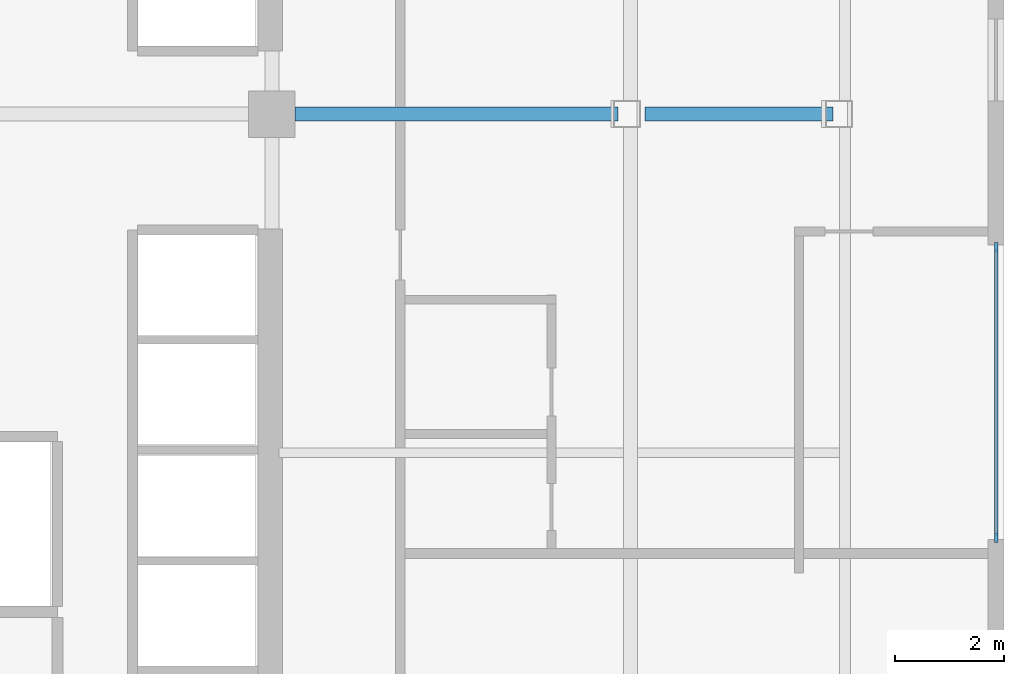
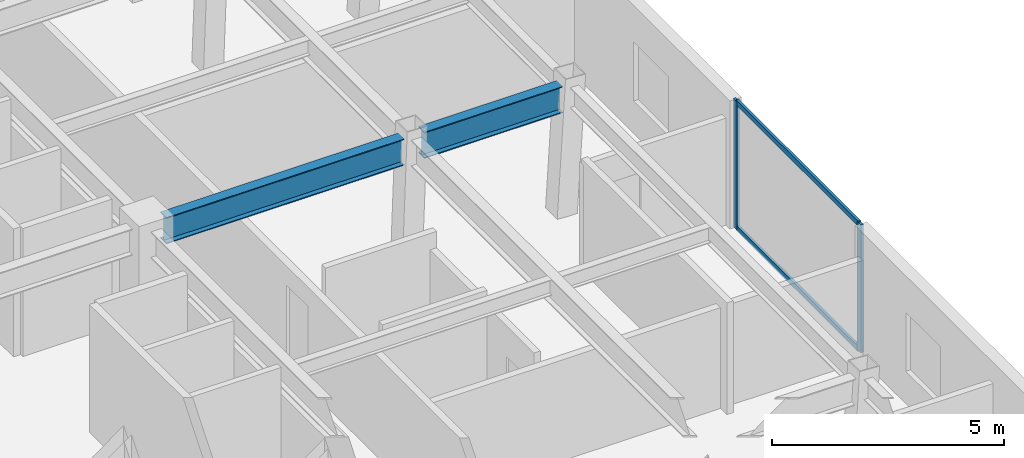
# One storey, part 5 of 13: 4 members, 2 beams, 1 element without a shape of its own.
"""IFC4 building model written with IfcOpenShell, lengths in metres."""

from ifc_helpers import new_model, si_unit, direction, frame, origin, origin_2d, place, context, subcontext, project, spatial, rectangle, i_section, extrude, material, layer, layer_set, material_profile, profile_set, type_object, element, aggregate, save


model = new_model("IFC4")

# Units and contexts
model_context = context("Model", 3, precision=1e-05, world=origin(), true_north=direction((0.0, 1.0)))
body_context = subcontext(model_context, "Body", "Model", "MODEL_VIEW")
ifc_project = project(units=[si_unit("LENGTHUNIT", "METRE"), si_unit("AREAUNIT", "SQUARE_METRE"), si_unit("VOLUMEUNIT", "CUBIC_METRE"), si_unit("PLANEANGLEUNIT", "RADIAN"), si_unit("MASSUNIT", "GRAM", prefix="KILO")], contexts=[model_context])

# Site, building, storey
site_placement = place(None, origin())
site = spatial("IfcSite", under=ifc_project, at=site_placement, CompositionType="ELEMENT")
building_placement = place(site_placement, origin())
building = spatial("IfcBuilding", under=site, at=building_placement, Name="Ochreholt Gables", CompositionType="ELEMENT")
storey_placement = place(building_placement, frame((0.0, 0.0, 49.199951171875)))
storey = spatial("IfcBuildingStorey", under=building, at=storey_placement, Name="L12", CompositionType="ELEMENT", Elevation=49.199951171875)

# Beams
ifc_material_1 = material(Name="Steel CSA G40.21 350W", Category="steel")
ifc_material_profile_1 = material_profile(ifc_material_1, i_section(OverallWidth=0.256103515625, OverallDepth=0.693115234375, WebThickness=0.014404296875, FlangeThickness=0.023681640625, at=origin_2d()), Name="W690X170")
ifc_profile_set_1 = profile_set([ifc_material_profile_1], Name="Steel CSA G40.21 350W")
beam_type = type_object("IfcBeamType", Name="BM-G-W690", PredefinedType="BEAM", material=ifc_profile_set_1)
beam_1_placement = place(storey_placement, frame((35.62451171875, 30.199951171875, 3.013427734375), z_axis=(1.0, 0.0, 0.0), x_axis=(0.0, 1.0, 0.0)))
element("IfcBeam", 1, at=beam_1_placement, inside=storey, type_object=beam_type, Name="L12 Beam TBG-L12-C2EM-Y4", PredefinedType="BEAM", context=body_context, shape_type="SweptSolid", body=[
    extrude(i_section(OverallWidth=0.256103515625, OverallDepth=0.693115234375, WebThickness=0.014404296875, FlangeThickness=0.023681640625, at=origin_2d()), origin(), (0.0, 0.0, 1.0), 5.909912109375),
])
beam_2_placement = place(storey_placement, frame((42.03369140625, 30.199951171875, 3.013427734375), z_axis=(1.0, 0.0, 0.0), x_axis=(0.0, 1.0, 0.0)))
element("IfcBeam", 2, at=beam_2_placement, inside=storey, type_object=beam_type, Name="L12 Beam TBG-L12-EMEE-Y4", PredefinedType="BEAM", context=body_context, shape_type="SweptSolid", body=[
    extrude(i_section(OverallWidth=0.256103515625, OverallDepth=0.693115234375, WebThickness=0.014404296875, FlangeThickness=0.023681640625, at=origin_2d()), origin(), (0.0, 0.0, 1.0), 3.435791015625),
])

# Curtain wall, members
ifc_material_2 = material(Name="Unitised Aluminium and Triple Glazing", Category="aluminium")
ifc_layer = layer(ifc_material_2, 0.179931640625, Name="Unitised Aluminium and Triple Glazing")
ifc_layer_set = layer_set([ifc_layer], Name="Unitised Aluminium and Triple Glazing")
curtain_wall_type = type_object("IfcCurtainWallType", Name="CW-SYS2", PredefinedType="NOTDEFINED", material=ifc_layer_set)
curtain_wall_placement = place(storey_placement, origin())
curtain_wall = element("IfcCurtainWall", 3, at=curtain_wall_placement, inside=storey, type_object=curtain_wall_type, Name="L12 East Unitised Curtain Wall", PredefinedType="NOTDEFINED")
ifc_material_3 = material(Name="Anodized Aluminium 6063-T6", Category="aluminium")
ifc_material_profile_2 = material_profile(ifc_material_3, rectangle(XDim=0.06494140625, YDim=0.1650390625, at=origin_2d()), Name="CWM65X165")
ifc_profile_set_2 = profile_set([ifc_material_profile_2], Name="Anodized Aluminium 6063-T6")
member_type_1 = type_object("IfcMemberType", Name="CW-MUL-B", PredefinedType="MULLION", material=ifc_profile_set_2)
member_1_placement = place(storey_placement, frame((48.455078125, 22.4423828125, 0.0), z_axis=(0.0, 0.0, 1.0), x_axis=(-1.0, 0.0, 0.0)))
member_1 = element("IfcMember", 4, at=member_1_placement, type_object=member_type_1, Name="CW-2 mullion 1", PredefinedType="MULLION", context=body_context, shape_type="SweptSolid", body=[
    extrude(rectangle(XDim=0.06494140625, YDim=0.1650390625, at=origin_2d()), origin(), (0.0, 0.0, 1.0), 3.360107421875),
])
member_2_placement = place(storey_placement, frame((48.455078125, 27.767578125, 0.0), z_axis=(0.0, 0.0, 1.0), x_axis=(-1.0, 0.0, 0.0)))
member_2 = element("IfcMember", 5, at=member_2_placement, type_object=member_type_1, Name="CW-2 mullion 2", PredefinedType="MULLION", context=body_context, shape_type="SweptSolid", body=[
    extrude(rectangle(XDim=0.06494140625, YDim=0.1650390625, at=origin_2d()), origin(), (0.0, 0.0, 1.0), 3.360107421875),
])
ifc_material_profile_3 = material_profile(ifc_material_3, rectangle(XDim=0.06494140625, YDim=0.135009765625, at=origin_2d()), Name="CWT65X135")
ifc_profile_set_3 = profile_set([ifc_material_profile_3], Name="Anodized Aluminium 6063-T6")
member_type_2 = type_object("IfcMemberType", Name="CW-TRN-B", PredefinedType="USERDEFINED", material=ifc_profile_set_3)
member_3_placement = place(storey_placement, frame((48.455078125, 22.47509765625, 0.032470703125), z_axis=(0.0, 1.0, 0.0), x_axis=(-1.0, 0.0, 0.0)))
member_3 = element("IfcMember", 6, at=member_3_placement, type_object=member_type_2, Name="CW-2 transom 1.1", ObjectType="TRANSOM", PredefinedType="USERDEFINED", context=body_context, shape_type="SweptSolid", body=[
    extrude(rectangle(XDim=0.06494140625, YDim=0.135009765625, at=origin_2d()), origin(), (0.0, 0.0, 1.0), 5.260009765625),
])
member_4_placement = place(storey_placement, frame((48.455078125, 22.47509765625, 3.32763671875), z_axis=(0.0, 1.0, 0.0), x_axis=(-1.0, 0.0, 0.0)))
member_4 = element("IfcMember", 7, at=member_4_placement, type_object=member_type_2, Name="CW-2 transom 1.2", ObjectType="TRANSOM", PredefinedType="USERDEFINED", context=body_context, shape_type="SweptSolid", body=[
    extrude(rectangle(XDim=0.06494140625, YDim=0.135009765625, at=origin_2d()), origin(), (0.0, 0.0, 1.0), 5.260009765625),
])
aggregate(curtain_wall, [member_1, member_2, member_3, member_4])

save(model, "model.ifc")
